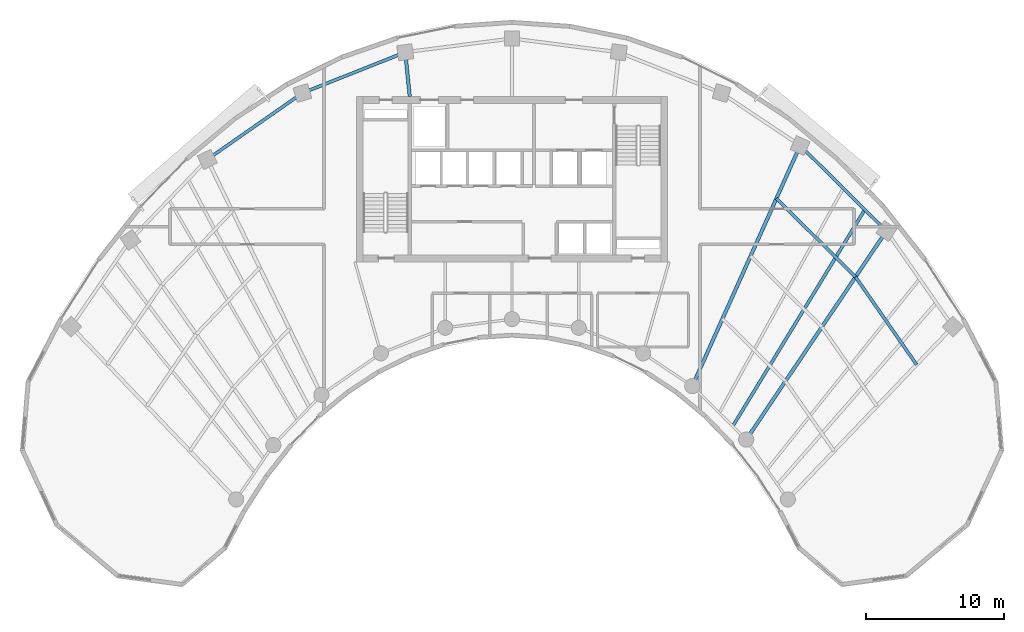
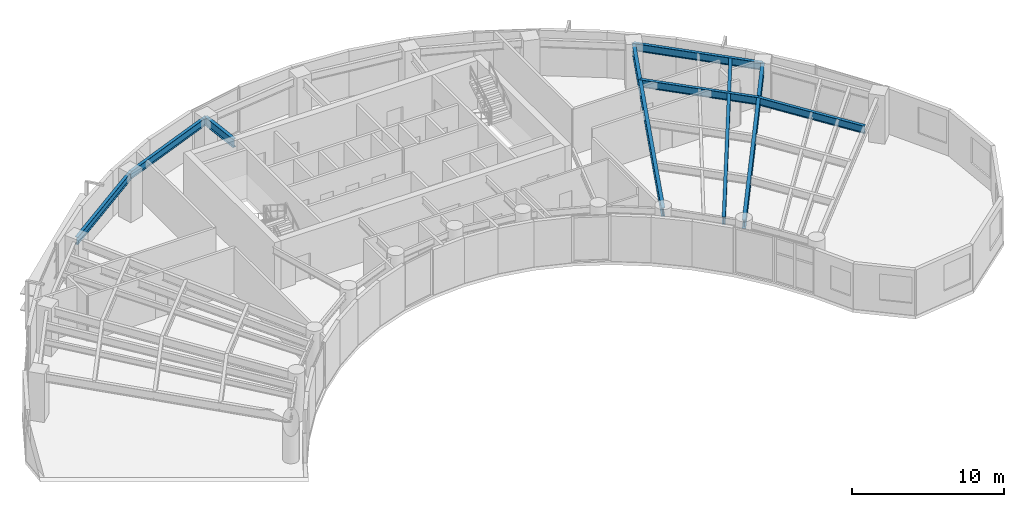
# One storey, part 4 of 13: 9 beams.
"""IFC4 building model written with IfcOpenShell, lengths in metres."""

from ifc_helpers import new_model, si_unit, direction, frame, origin, origin_2d, place, context, subcontext, project, spatial, i_section, extrude, source, transform, mapped, material, material_profile, profile_set, type_object, element, save


model = new_model("IFC4")

# Units and contexts
model_context = context("Model", 3, precision=1e-05, world=origin(), true_north=direction((0.0, 1.0)))
body_context = subcontext(model_context, "Body", "Model", "MODEL_VIEW")
ifc_project = project(units=[si_unit("LENGTHUNIT", "METRE"), si_unit("AREAUNIT", "SQUARE_METRE"), si_unit("VOLUMEUNIT", "CUBIC_METRE"), si_unit("PLANEANGLEUNIT", "RADIAN"), si_unit("MASSUNIT", "GRAM", prefix="KILO")], contexts=[model_context])

# Site, building, storey
site_placement = place(None, origin())
site = spatial("IfcSite", under=ifc_project, at=site_placement, CompositionType="ELEMENT")
building_placement = place(site_placement, origin())
building = spatial("IfcBuilding", under=site, at=building_placement, Name="Breltana Convention Tower", CompositionType="ELEMENT")
storey_placement = place(building_placement, frame((0.0, 0.0, 158.39990234375)))
storey = spatial("IfcBuildingStorey", under=building, at=storey_placement, Name="L38", CompositionType="ELEMENT", Elevation=158.39990234375)

# Beams
ifc_material = material(Name="Steel ASTM A992 Grade 50", Category="steel")
ifc_material_profile_1 = material_profile(ifc_material, i_section(OverallWidth=0.25390625, OverallDepth=0.68798828125, WebThickness=0.01318359375, FlangeThickness=0.02099609375, at=origin_2d()), Name="W27X102")
ifc_profile_set_1 = profile_set([ifc_material_profile_1], Name="Steel ASTM A992 Grade 50")
beam_type_1 = type_object("IfcBeamType", Name="BM-RG-W27X102", PredefinedType="USERDEFINED", material=ifc_profile_set_1)
shared_shape_1 = source(origin(), body_context, "Body", "SweptSolid", [
    extrude(i_section(OverallWidth=0.25390625, OverallDepth=0.68798828125, WebThickness=0.01318359375, FlangeThickness=0.02099609375, at=origin_2d()), origin(), (0.0, 0.0, 1.0), 3.220947265625),
])
beam_1_placement = place(storey_placement, frame((40.580078125, 72.199951171875, 3.30615234375), z_axis=(-0.101492254858, 0.994836329355, 0.0), x_axis=(-0.994836329355, -0.101492254858, 0.0)))
element("IfcBeam", 1, at=beam_1_placement, inside=storey, type_object=beam_type_1, Name="L38 North Core Radial Girder R05", ObjectType="GIRDER", PredefinedType="USERDEFINED", context=body_context, shape_type="MappedRepresentation", body=[
    mapped(shared_shape_1, transform((0.0, 0.0, 0.0), scale=1.0)),
])
shared_shape_2 = source(origin(), body_context, "Body", "SweptSolid", [
    extrude(i_section(OverallWidth=0.25390625, OverallDepth=0.68798828125, WebThickness=0.01318359375, FlangeThickness=0.02099609375, at=origin_2d()), origin(), (0.0, 0.0, 1.0), 19.133544921875),
])
beam_2_placement = place(storey_placement, frame((61.08203125, 51.174560546875, 3.30615234375), z_axis=(0.409144564164, 0.912469575172, 0.0), x_axis=(-0.912469575172, 0.409144564164, 0.0)))
element("IfcBeam", 2, at=beam_2_placement, inside=storey, type_object=beam_type_1, Name="L38 Radial Floor Girder R09", ObjectType="GIRDER", PredefinedType="USERDEFINED", context=body_context, shape_type="MappedRepresentation", body=[
    mapped(shared_shape_2, transform((0.0, 0.0, 0.0), scale=1.0)),
])
shared_shape_3 = source(origin(), body_context, "Body", "SweptSolid", [
    extrude(i_section(OverallWidth=0.25390625, OverallDepth=0.68798828125, WebThickness=0.01318359375, FlangeThickness=0.02099609375, at=origin_2d()), origin(), (0.0, 0.0, 1.0), 18.236328125),
])
beam_3_placement = place(storey_placement, frame((64.995849609375, 47.293701171875, 3.30615234375), z_axis=(0.557730360975, 0.830022195153, 0.0), x_axis=(-0.830022195153, 0.557730360975, 0.0)))
element("IfcBeam", 3, at=beam_3_placement, inside=storey, type_object=beam_type_1, Name="L38 Radial Floor Girder R10", ObjectType="GIRDER", PredefinedType="USERDEFINED", context=body_context, shape_type="MappedRepresentation", body=[
    mapped(shared_shape_3, transform((0.0, 0.0, 0.0), scale=1.0)),
])
ifc_material_profile_2 = material_profile(ifc_material, i_section(OverallWidth=0.22802734375, OverallDepth=0.60791015625, WebThickness=0.01123046875, FlangeThickness=0.017333984375, at=origin_2d()), Name="W24X76")
ifc_profile_set_2 = profile_set([ifc_material_profile_2], Name="Steel ASTM A992 Grade 50")
beam_type_2 = type_object("IfcBeamType", Name="BM-SP-W24X76", PredefinedType="SPANDREL", material=ifc_profile_set_2)
shared_shape_4 = source(origin(), body_context, "Body", "SweptSolid", [
    extrude(i_section(OverallWidth=0.22802734375, OverallDepth=0.60791015625, WebThickness=0.01123046875, FlangeThickness=0.017333984375, at=origin_2d()), origin(), (0.0, 0.0, 1.0), 8.4169921875),
])
beam_4_placement = place(storey_placement, frame((25.8876953125, 67.626953125, 3.34619140625), z_axis=(0.820173800102, 0.572114444519, 0.0), x_axis=(-0.572114444519, 0.820173800102, 0.0)))
element("IfcBeam", 4, at=beam_4_placement, inside=storey, type_object=beam_type_2, Name="L38 Outer Spandrel Beam 03", PredefinedType="SPANDREL", context=body_context, shape_type="MappedRepresentation", body=[
    mapped(shared_shape_4, transform((0.0, 0.0, 0.0), scale=1.0)),
])
shared_shape_5 = source(origin(), body_context, "Body", "SweptSolid", [
    extrude(i_section(OverallWidth=0.22802734375, OverallDepth=0.60791015625, WebThickness=0.01123046875, FlangeThickness=0.017333984375, at=origin_2d()), origin(), (0.0, 0.0, 1.0), 8.028564453125),
])
beam_5_placement = place(storey_placement, frame((32.791015625, 72.4423828125, 3.34619140625), z_axis=(0.929459100394, 0.368925169507, 0.0), x_axis=(-0.368925169507, 0.929459100394, 0.0)))
element("IfcBeam", 5, at=beam_5_placement, inside=storey, type_object=beam_type_2, Name="L38 Outer Spandrel Beam 04", PredefinedType="SPANDREL", context=body_context, shape_type="MappedRepresentation", body=[
    mapped(shared_shape_5, transform((0.0, 0.0, 0.0), scale=1.0)),
])
shared_shape_6 = source(origin(), body_context, "Body", "SweptSolid", [
    extrude(i_section(OverallWidth=0.22802734375, OverallDepth=0.60791015625, WebThickness=0.01123046875, FlangeThickness=0.017333984375, at=origin_2d()), origin(), (0.0, 0.0, 1.0), 8.810302734375),
])
beam_6_placement = place(storey_placement, frame((68.910400390625, 68.63330078125, 3.34619140625), z_axis=(0.710120823582, -0.704079836322, 0.0), x_axis=(0.704079836322, 0.710120823582, 0.0)))
element("IfcBeam", 6, at=beam_6_placement, inside=storey, type_object=beam_type_2, Name="L38 Outer Spandrel Beam 09", PredefinedType="SPANDREL", context=body_context, shape_type="MappedRepresentation", body=[
    mapped(shared_shape_6, transform((0.0, 0.0, 0.0), scale=1.0)),
])
ifc_material_profile_3 = material_profile(ifc_material, i_section(OverallWidth=0.22802734375, OverallDepth=0.60791015625, WebThickness=0.01123046875, FlangeThickness=0.017333984375, at=origin_2d()), Name="W24X76")
ifc_profile_set_3 = profile_set([ifc_material_profile_3], Name="Steel ASTM A992 Grade 50")
beam_type_3 = type_object("IfcBeamType", Name="BM-JSG-02", PredefinedType="JOIST", material=ifc_profile_set_3)
shared_shape_7 = source(origin(), body_context, "Body", "SweptSolid", [
    extrude(i_section(OverallWidth=0.22802734375, OverallDepth=0.60791015625, WebThickness=0.01123046875, FlangeThickness=0.017333984375, at=origin_2d()), origin(), (0.0, 0.0, 1.0), 8.084716796875),
])
beam_7_placement = place(storey_placement, frame((67.188232421875, 64.79248046875, 3.34619140625), z_axis=(0.710105094548, -0.704095699956, 0.0), x_axis=(0.704095699956, 0.710105094548, 0.0)))
element("IfcBeam", 7, at=beam_7_placement, inside=storey, type_object=beam_type_3, Name="L38 Composite Floor Joist 09.3", PredefinedType="JOIST", context=body_context, shape_type="MappedRepresentation", body=[
    mapped(shared_shape_7, transform((0.0, 0.0, 0.0), scale=1.0)),
])
shared_shape_8 = source(origin(), body_context, "Body", "SweptSolid", [
    extrude(i_section(OverallWidth=0.22802734375, OverallDepth=0.60791015625, WebThickness=0.01123046875, FlangeThickness=0.017333984375, at=origin_2d()), origin(), (0.0, 0.0, 1.0), 18.409423828125),
])
beam_8_placement = place(storey_placement, frame((64.017333984375, 48.263916015625, 3.34619140625), z_axis=(0.520682167606, 0.853750596098, 0.0), x_axis=(-0.853750596098, 0.520682167606, 0.0)))
element("IfcBeam", 8, at=beam_8_placement, inside=storey, type_object=beam_type_3, Name="L38 Quarter-Bay Radial Trimmer 09", PredefinedType="JOIST", context=body_context, shape_type="MappedRepresentation", body=[
    mapped(shared_shape_8, transform((0.0, 0.0, 0.0), scale=1.0)),
])
shared_shape_9 = source(origin(), body_context, "Body", "SweptSolid", [
    extrude(i_section(OverallWidth=0.22802734375, OverallDepth=0.60791015625, WebThickness=0.01123046875, FlangeThickness=0.017333984375, at=origin_2d()), origin(), (0.0, 0.0, 1.0), 7.75390625),
])
beam_9_placement = place(storey_placement, frame((72.92919921875, 59.10009765625, 3.34619140625), z_axis=(0.57119271264, -0.820815987312, 0.0), x_axis=(0.820815987312, 0.57119271264, 0.0)))
element("IfcBeam", 9, at=beam_9_placement, inside=storey, type_object=beam_type_3, Name="L38 Composite Floor Joist 10.3", PredefinedType="JOIST", context=body_context, shape_type="MappedRepresentation", body=[
    mapped(shared_shape_9, transform((0.0, 0.0, 0.0), scale=1.0)),
])

save(model, "model.ifc")
